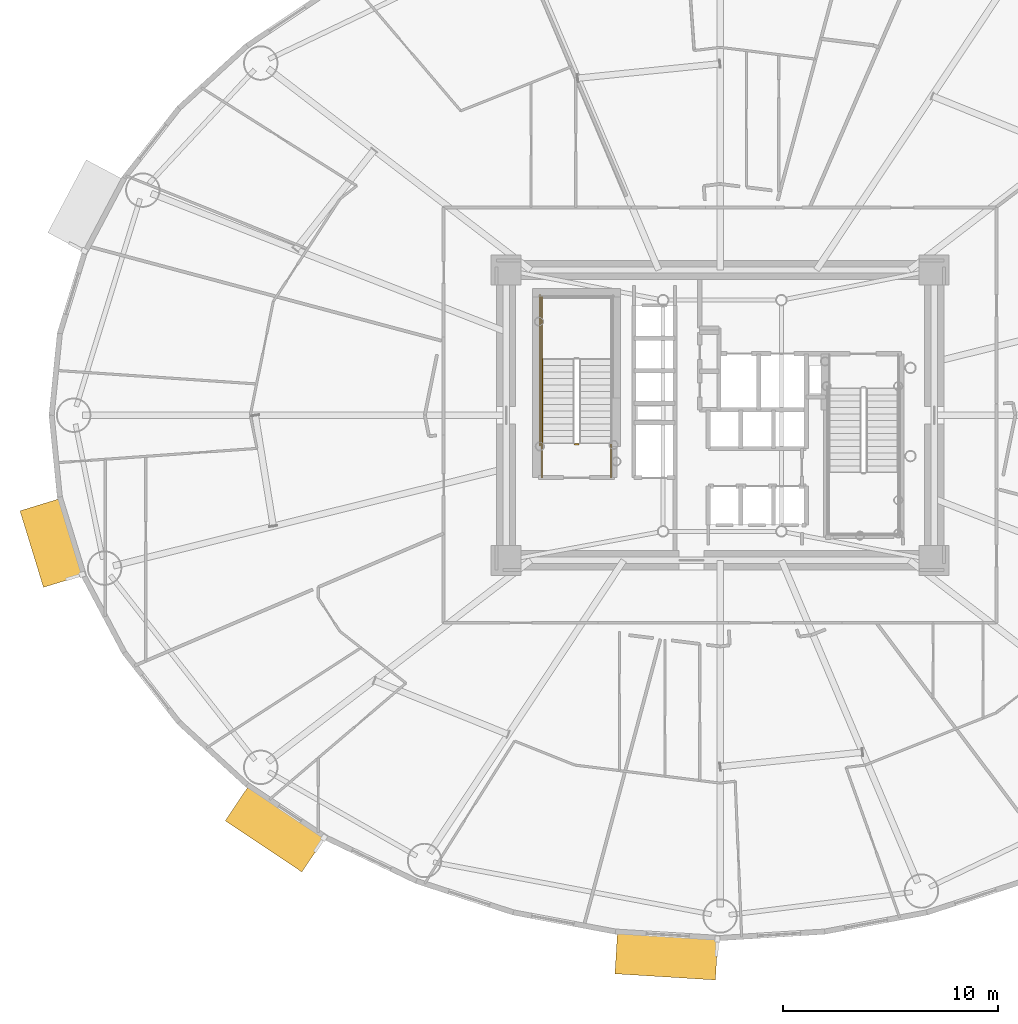
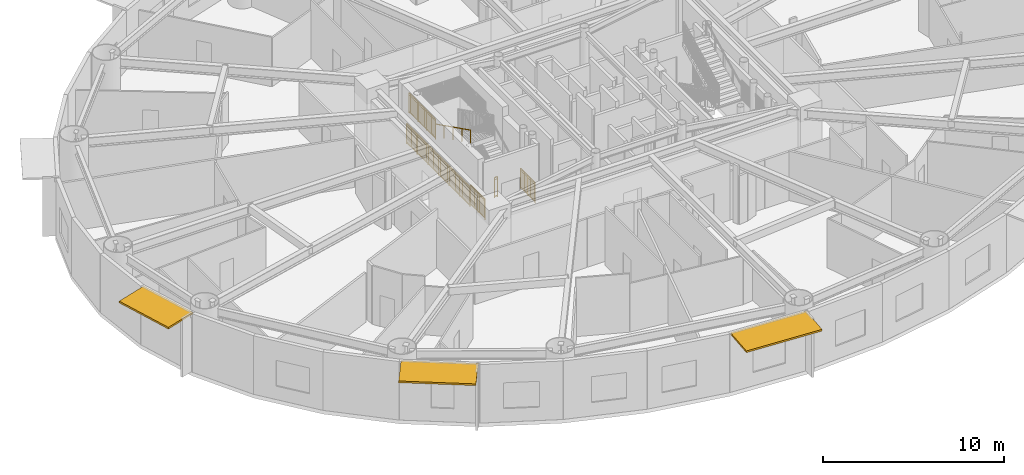
# One storey, part 18 of 24: 6 railings, 3 shading devices.
"""IFC4 building model written with IfcOpenShell, lengths in metres."""

from ifc_helpers import new_model, si_unit, direction, frame, origin, origin_2d, place, context, subcontext, project, spatial, rectangle, extrude, source, transform, mapped, material, layer, layer_set, type_object, element, save


model = new_model("IFC4")

# Units and contexts
model_context = context("Model", 3, precision=1e-05, world=origin(), true_north=direction((0.0, 1.0)))
body_context = subcontext(model_context, "Body", "Model", "MODEL_VIEW")
ifc_project = project(units=[si_unit("LENGTHUNIT", "METRE"), si_unit("AREAUNIT", "SQUARE_METRE"), si_unit("VOLUMEUNIT", "CUBIC_METRE"), si_unit("PLANEANGLEUNIT", "RADIAN"), si_unit("MASSUNIT", "GRAM", prefix="KILO")], contexts=[model_context])

# Site, building, storey
site_placement = place(None, origin())
site = spatial("IfcSite", under=ifc_project, at=site_placement, CompositionType="ELEMENT")
building_placement = place(site_placement, origin())
building = spatial("IfcBuilding", under=site, at=building_placement, Name="Linh Dai School and Residence Tower", CompositionType="ELEMENT")
storey_placement = place(building_placement, frame((0.0, 0.0, 70.199951171875)))
storey = spatial("IfcBuildingStorey", under=building, at=storey_placement, Name="L16", CompositionType="ELEMENT", Elevation=70.199951171875)

# Shading devices
ifc_material_1 = material(Name="Terracotta Ceramic Sunshade", Category="masonry")
ifc_layer = layer(ifc_material_1, 0.1201171875)
ifc_layer_set = layer_set([ifc_layer], Name="Terracotta Ceramic Sunshade")
shading_device_type = type_object("IfcShadingDeviceType", Name="SHD-TC-2000", PredefinedType="USERDEFINED", material=ifc_layer_set)
shared_shape_1 = source(origin(), body_context, "Body", "SweptSolid", [
    extrude(rectangle(XDim=3.7197265625, YDim=2.0, at=origin_2d()), origin(), (0.0, 0.0, 1.0), 0.1201171875),
])
shading_device_1_placement = place(storey_placement, frame((4.956787109375, 21.0693359375, 3.81005859375), z_axis=(0.0, 0.0, 1.0), x_axis=(-0.293145733514, 0.956067769001, 0.0)))
element("IfcShadingDevice", 1, at=shading_device_1_placement, inside=storey, type_object=shading_device_type, Name="L16 Terracotta Horizontal Sunshade Band 22", ObjectType="SUNSHADE", PredefinedType="USERDEFINED", context=body_context, shape_type="MappedRepresentation", body=[
    mapped(shared_shape_1, transform((0.0, 0.0, 0.0), x_axis=(1.0, 0.0, 0.0), y_axis=(0.0, 1.0, 0.0), z_axis=(0.0, 0.0, 1.0), scale=1.0)),
])
shared_shape_2 = source(origin(), body_context, "Body", "SweptSolid", [
    extrude(rectangle(XDim=4.28173828125, YDim=2.0, at=origin_2d()), origin(), (0.0, 0.0, 1.0), 0.1201171875),
])
shading_device_2_placement = place(storey_placement, frame((15.33544921875, 7.7861328125, 3.81005859375), z_axis=(0.0, 0.0, 1.0), x_axis=(-0.831250578927, 0.555897899828, 0.0)))
element("IfcShadingDevice", 2, at=shading_device_2_placement, inside=storey, type_object=shading_device_type, Name="L16 Terracotta Horizontal Sunshade Band 26", ObjectType="SUNSHADE", PredefinedType="USERDEFINED", context=body_context, shape_type="MappedRepresentation", body=[
    mapped(shared_shape_2, transform((0.0, 0.0, 0.0), x_axis=(1.0, 0.0, 0.0), y_axis=(0.0, 1.0, 0.0), z_axis=(0.0, 0.0, 1.0), scale=1.0)),
])
shared_shape_3 = source(origin(), body_context, "Body", "SweptSolid", [
    extrude(rectangle(XDim=4.6796875, YDim=2.0, at=origin_2d()), origin(), (0.0, 0.0, 1.0), 0.1201171875),
])
shading_device_3_placement = place(storey_placement, frame((33.50830078125, 1.88671875, 3.81005859375), z_axis=(0.0, 0.0, 1.0), x_axis=(-0.998106677027, 0.061506595367, 0.0)))
element("IfcShadingDevice", 3, at=shading_device_3_placement, inside=storey, type_object=shading_device_type, Name="L16 Terracotta Horizontal Sunshade Band 30", ObjectType="SUNSHADE", PredefinedType="USERDEFINED", context=body_context, shape_type="MappedRepresentation", body=[
    mapped(shared_shape_3, transform((0.0, 0.0, 0.0), x_axis=(1.0, 0.0, 0.0), y_axis=(0.0, 1.0, 0.0), z_axis=(0.0, 0.0, 1.0), scale=1.0)),
])

# Railings
ifc_material_2 = material(Name="Structural Steel S355JR", Category="steel")
railing_type_1 = type_object("IfcRailingType", Name="RL-ST-GUARD-1400", PredefinedType="GUARDRAIL", material=ifc_material_2)
shared_shape_4 = source(origin(), body_context, "Body", "SweptSolid", [
    extrude(rectangle(XDim=0.048095703125, YDim=0.048095703125, at=origin_2d()), frame((0.0, 0.0, 1.3759765625), z_axis=(-1.0, 0.0, 0.0), x_axis=(0.0, -1.0, 0.0)), (0.0, 0.0, 1.0), 0.199951171875),
    extrude(rectangle(XDim=0.048095703125, YDim=0.048095703125, at=origin_2d()), frame((0.0, 0.0, 0.10009765625), z_axis=(-1.0, 0.0, 0.0), x_axis=(0.0, -1.0, 0.0)), (0.0, 0.0, 1.0), 0.199951171875),
    extrude(rectangle(XDim=0.030029296875, YDim=0.030029296875, at=origin_2d()), frame((0.0, 0.0, 1.239990234375), z_axis=(-1.0, 0.0, 0.0), x_axis=(0.0, -1.0, 0.0)), (0.0, 0.0, 1.0), 0.199951171875),
    extrude(rectangle(XDim=0.0419921875, YDim=0.0419921875, at=origin_2d()), origin(), (0.0, 0.0, 1.0), 1.3759765625),
    extrude(rectangle(XDim=0.0419921875, YDim=0.0419921875, at=origin_2d()), frame((-0.199951171875, 0.0, 0.0)), (0.0, 0.0, 1.0), 1.3759765625),
])
railing_1_placement = place(storey_placement, frame((29.429931640625, 25.64990234375, 0.0)))
element("IfcRailing", 4, at=railing_1_placement, inside=storey, type_object=railing_type_1, Name="L16 ST1 stair guard 7", PredefinedType="GUARDRAIL", context=body_context, shape_type="MappedRepresentation", body=[
    mapped(shared_shape_4, transform((0.0, 0.0, 0.0), x_axis=(1.0, 0.0, 0.0), y_axis=(0.0, 1.0, 0.0), z_axis=(0.0, 0.0, 1.0), scale=1.0)),
])
shared_shape_5 = source(origin(), body_context, "Body", "SweptSolid", [
    extrude(rectangle(XDim=0.048095703125, YDim=0.048095703125, at=origin_2d()), frame((0.0, 0.0, 1.3759765625), z_axis=(0.0, 1.0, 0.0), x_axis=(-1.0, 0.0, 0.0)), (0.0, 0.0, 1.0), 1.599853515625),
    extrude(rectangle(XDim=0.048095703125, YDim=0.048095703125, at=origin_2d()), frame((0.0, 0.0, 0.10009765625), z_axis=(0.0, 1.0, 0.0), x_axis=(-1.0, 0.0, 0.0)), (0.0, 0.0, 1.0), 1.599853515625),
    extrude(rectangle(XDim=0.030029296875, YDim=0.030029296875, at=origin_2d()), frame((0.0, 0.0, 1.239990234375), z_axis=(0.0, 1.0, 0.0), x_axis=(-1.0, 0.0, 0.0)), (0.0, 0.0, 1.0), 1.599853515625),
    extrude(rectangle(XDim=0.02001953125, YDim=0.02001953125, at=origin_2d()), frame((0.0, 0.093994140625, 0.10009765625)), (0.0, 0.0, 1.0), 1.251708984375),
    extrude(rectangle(XDim=0.02001953125, YDim=0.02001953125, at=origin_2d()), frame((0.0, 0.188232421875, 0.10009765625)), (0.0, 0.0, 1.0), 1.251708984375),
    extrude(rectangle(XDim=0.02001953125, YDim=0.02001953125, at=origin_2d()), frame((0.0, 0.2822265625, 0.10009765625)), (0.0, 0.0, 1.0), 1.251708984375),
    extrude(rectangle(XDim=0.02001953125, YDim=0.02001953125, at=origin_2d()), frame((0.0, 0.37646484375, 0.10009765625)), (0.0, 0.0, 1.0), 1.251708984375),
    extrude(rectangle(XDim=0.02001953125, YDim=0.02001953125, at=origin_2d()), frame((0.0, 0.470458984375, 0.10009765625)), (0.0, 0.0, 1.0), 1.251708984375),
    extrude(rectangle(XDim=0.02001953125, YDim=0.02001953125, at=origin_2d()), frame((0.0, 0.564697265625, 0.10009765625)), (0.0, 0.0, 1.0), 1.251708984375),
    extrude(rectangle(XDim=0.02001953125, YDim=0.02001953125, at=origin_2d()), frame((0.0, 0.65869140625, 0.10009765625)), (0.0, 0.0, 1.0), 1.251708984375),
    extrude(rectangle(XDim=0.02001953125, YDim=0.02001953125, at=origin_2d()), frame((0.0, 0.7529296875, 0.10009765625)), (0.0, 0.0, 1.0), 1.251708984375),
    extrude(rectangle(XDim=0.02001953125, YDim=0.02001953125, at=origin_2d()), frame((0.0, 0.846923828125, 0.10009765625)), (0.0, 0.0, 1.0), 1.251708984375),
    extrude(rectangle(XDim=0.02001953125, YDim=0.02001953125, at=origin_2d()), frame((0.0, 0.941162109375, 0.10009765625)), (0.0, 0.0, 1.0), 1.251708984375),
    extrude(rectangle(XDim=0.02001953125, YDim=0.02001953125, at=origin_2d()), frame((0.0, 1.03515625, 0.10009765625)), (0.0, 0.0, 1.0), 1.251708984375),
    extrude(rectangle(XDim=0.02001953125, YDim=0.02001953125, at=origin_2d()), frame((0.0, 1.12939453125, 0.10009765625)), (0.0, 0.0, 1.0), 1.251708984375),
    extrude(rectangle(XDim=0.02001953125, YDim=0.02001953125, at=origin_2d()), frame((0.0, 1.223388671875, 0.10009765625)), (0.0, 0.0, 1.0), 1.251708984375),
    extrude(rectangle(XDim=0.02001953125, YDim=0.02001953125, at=origin_2d()), frame((0.0, 1.317626953125, 0.10009765625)), (0.0, 0.0, 1.0), 1.251708984375),
    extrude(rectangle(XDim=0.02001953125, YDim=0.02001953125, at=origin_2d()), frame((0.0, 1.41162109375, 0.10009765625)), (0.0, 0.0, 1.0), 1.251708984375),
    extrude(rectangle(XDim=0.02001953125, YDim=0.02001953125, at=origin_2d()), frame((0.0, 1.505859375, 0.10009765625)), (0.0, 0.0, 1.0), 1.251708984375),
    extrude(rectangle(XDim=0.0419921875, YDim=0.0419921875, at=origin_2d()), origin(), (0.0, 0.0, 1.0), 1.3759765625),
    extrude(rectangle(XDim=0.0419921875, YDim=0.0419921875, at=origin_2d()), frame((0.0, 0.7998046875, 0.0)), (0.0, 0.0, 1.0), 1.3759765625),
    extrude(rectangle(XDim=0.0419921875, YDim=0.0419921875, at=origin_2d()), frame((0.0, 1.599853515625, 0.0)), (0.0, 0.0, 1.0), 1.3759765625),
])
for number, where, name in (
    (5, (30.929931640625, 24.10009765625, 0.0), "L16 ST1 stair guard 8"),
    (6, (27.72998046875, 24.10009765625, 0.0), "L16 ST1 stair guard 9"),
):
    element("IfcRailing", number, at=place(storey_placement, frame(where)), inside=storey, type_object=railing_type_1, Name=name, PredefinedType="GUARDRAIL", context=body_context, shape_type="MappedRepresentation", body=[
        mapped(shared_shape_5, transform((0.0, 0.0, 0.0), x_axis=(1.0, 0.0, 0.0), y_axis=(0.0, 1.0, 0.0), z_axis=(0.0, 0.0, 1.0), scale=1.0)),
    ])
shared_shape_6 = source(origin(), body_context, "Body", "SweptSolid", [
    extrude(rectangle(XDim=0.048095703125, YDim=0.048095703125, at=origin_2d()), frame((0.0, 0.0, 1.3759765625), z_axis=(0.0, 1.0, 0.0), x_axis=(-1.0, 0.0, 0.0)), (0.0, 0.0, 1.0), 7.0),
    extrude(rectangle(XDim=0.048095703125, YDim=0.048095703125, at=origin_2d()), frame((0.0, 0.0, 0.10009765625), z_axis=(0.0, 1.0, 0.0), x_axis=(-1.0, 0.0, 0.0)), (0.0, 0.0, 1.0), 7.0),
    extrude(rectangle(XDim=0.030029296875, YDim=0.030029296875, at=origin_2d()), frame((0.0, 0.0, 1.239990234375), z_axis=(0.0, 1.0, 0.0), x_axis=(-1.0, 0.0, 0.0)), (0.0, 0.0, 1.0), 7.0),
    extrude(rectangle(XDim=0.02001953125, YDim=0.02001953125, at=origin_2d()), frame((0.0, 0.09716796875, 0.10009765625)), (0.0, 0.0, 1.0), 1.251708984375),
    extrude(rectangle(XDim=0.02001953125, YDim=0.02001953125, at=origin_2d()), frame((0.0, 0.1943359375, 0.10009765625)), (0.0, 0.0, 1.0), 1.251708984375),
    extrude(rectangle(XDim=0.02001953125, YDim=0.02001953125, at=origin_2d()), frame((0.0, 0.291748046875, 0.10009765625)), (0.0, 0.0, 1.0), 1.251708984375),
    extrude(rectangle(XDim=0.02001953125, YDim=0.02001953125, at=origin_2d()), frame((0.0, 0.388916015625, 0.10009765625)), (0.0, 0.0, 1.0), 1.251708984375),
    extrude(rectangle(XDim=0.02001953125, YDim=0.02001953125, at=origin_2d()), frame((0.0, 0.486083984375, 0.10009765625)), (0.0, 0.0, 1.0), 1.251708984375),
    extrude(rectangle(XDim=0.02001953125, YDim=0.02001953125, at=origin_2d()), frame((0.0, 0.583251953125, 0.10009765625)), (0.0, 0.0, 1.0), 1.251708984375),
    extrude(rectangle(XDim=0.02001953125, YDim=0.02001953125, at=origin_2d()), frame((0.0, 0.6806640625, 0.10009765625)), (0.0, 0.0, 1.0), 1.251708984375),
    extrude(rectangle(XDim=0.02001953125, YDim=0.02001953125, at=origin_2d()), frame((0.0, 0.77783203125, 0.10009765625)), (0.0, 0.0, 1.0), 1.251708984375),
    extrude(rectangle(XDim=0.02001953125, YDim=0.02001953125, at=origin_2d()), frame((0.0, 0.875, 0.10009765625)), (0.0, 0.0, 1.0), 1.251708984375),
    extrude(rectangle(XDim=0.02001953125, YDim=0.02001953125, at=origin_2d()), frame((0.0, 0.97216796875, 0.10009765625)), (0.0, 0.0, 1.0), 1.251708984375),
    extrude(rectangle(XDim=0.02001953125, YDim=0.02001953125, at=origin_2d()), frame((0.0, 1.0693359375, 0.10009765625)), (0.0, 0.0, 1.0), 1.251708984375),
    extrude(rectangle(XDim=0.02001953125, YDim=0.02001953125, at=origin_2d()), frame((0.0, 1.263916015625, 0.10009765625)), (0.0, 0.0, 1.0), 1.251708984375),
    extrude(rectangle(XDim=0.02001953125, YDim=0.02001953125, at=origin_2d()), frame((0.0, 1.361083984375, 0.10009765625)), (0.0, 0.0, 1.0), 1.251708984375),
    extrude(rectangle(XDim=0.02001953125, YDim=0.02001953125, at=origin_2d()), frame((0.0, 1.458251953125, 0.10009765625)), (0.0, 0.0, 1.0), 1.251708984375),
    extrude(rectangle(XDim=0.02001953125, YDim=0.02001953125, at=origin_2d()), frame((0.0, 1.5556640625, 0.10009765625)), (0.0, 0.0, 1.0), 1.251708984375),
    extrude(rectangle(XDim=0.02001953125, YDim=0.02001953125, at=origin_2d()), frame((0.0, 1.65283203125, 0.10009765625)), (0.0, 0.0, 1.0), 1.251708984375),
    extrude(rectangle(XDim=0.02001953125, YDim=0.02001953125, at=origin_2d()), frame((0.0, 1.75, 0.10009765625)), (0.0, 0.0, 1.0), 1.251708984375),
    extrude(rectangle(XDim=0.02001953125, YDim=0.02001953125, at=origin_2d()), frame((0.0, 1.84716796875, 0.10009765625)), (0.0, 0.0, 1.0), 1.251708984375),
    extrude(rectangle(XDim=0.02001953125, YDim=0.02001953125, at=origin_2d()), frame((0.0, 1.9443359375, 0.10009765625)), (0.0, 0.0, 1.0), 1.251708984375),
    extrude(rectangle(XDim=0.02001953125, YDim=0.02001953125, at=origin_2d()), frame((0.0, 2.041748046875, 0.10009765625)), (0.0, 0.0, 1.0), 1.251708984375),
    extrude(rectangle(XDim=0.02001953125, YDim=0.02001953125, at=origin_2d()), frame((0.0, 2.138916015625, 0.10009765625)), (0.0, 0.0, 1.0), 1.251708984375),
    extrude(rectangle(XDim=0.02001953125, YDim=0.02001953125, at=origin_2d()), frame((0.0, 2.236083984375, 0.10009765625)), (0.0, 0.0, 1.0), 1.251708984375),
    extrude(rectangle(XDim=0.02001953125, YDim=0.02001953125, at=origin_2d()), frame((0.0, 2.4306640625, 0.10009765625)), (0.0, 0.0, 1.0), 1.251708984375),
    extrude(rectangle(XDim=0.02001953125, YDim=0.02001953125, at=origin_2d()), frame((0.0, 2.52783203125, 0.10009765625)), (0.0, 0.0, 1.0), 1.251708984375),
    extrude(rectangle(XDim=0.02001953125, YDim=0.02001953125, at=origin_2d()), frame((0.0, 2.625, 0.10009765625)), (0.0, 0.0, 1.0), 1.251708984375),
    extrude(rectangle(XDim=0.02001953125, YDim=0.02001953125, at=origin_2d()), frame((0.0, 2.72216796875, 0.10009765625)), (0.0, 0.0, 1.0), 1.251708984375),
    extrude(rectangle(XDim=0.02001953125, YDim=0.02001953125, at=origin_2d()), frame((0.0, 2.8193359375, 0.10009765625)), (0.0, 0.0, 1.0), 1.251708984375),
    extrude(rectangle(XDim=0.02001953125, YDim=0.02001953125, at=origin_2d()), frame((0.0, 2.916748046875, 0.10009765625)), (0.0, 0.0, 1.0), 1.251708984375),
    extrude(rectangle(XDim=0.02001953125, YDim=0.02001953125, at=origin_2d()), frame((0.0, 3.013916015625, 0.10009765625)), (0.0, 0.0, 1.0), 1.251708984375),
    extrude(rectangle(XDim=0.02001953125, YDim=0.02001953125, at=origin_2d()), frame((0.0, 3.111083984375, 0.10009765625)), (0.0, 0.0, 1.0), 1.251708984375),
    extrude(rectangle(XDim=0.02001953125, YDim=0.02001953125, at=origin_2d()), frame((0.0, 3.208251953125, 0.10009765625)), (0.0, 0.0, 1.0), 1.251708984375),
    extrude(rectangle(XDim=0.02001953125, YDim=0.02001953125, at=origin_2d()), frame((0.0, 3.3056640625, 0.10009765625)), (0.0, 0.0, 1.0), 1.251708984375),
    extrude(rectangle(XDim=0.02001953125, YDim=0.02001953125, at=origin_2d()), frame((0.0, 3.40283203125, 0.10009765625)), (0.0, 0.0, 1.0), 1.251708984375),
    extrude(rectangle(XDim=0.02001953125, YDim=0.02001953125, at=origin_2d()), frame((0.0, 3.59716796875, 0.10009765625)), (0.0, 0.0, 1.0), 1.251708984375),
    extrude(rectangle(XDim=0.02001953125, YDim=0.02001953125, at=origin_2d()), frame((0.0, 3.6943359375, 0.10009765625)), (0.0, 0.0, 1.0), 1.251708984375),
    extrude(rectangle(XDim=0.02001953125, YDim=0.02001953125, at=origin_2d()), frame((0.0, 3.791748046875, 0.10009765625)), (0.0, 0.0, 1.0), 1.251708984375),
    extrude(rectangle(XDim=0.02001953125, YDim=0.02001953125, at=origin_2d()), frame((0.0, 3.888916015625, 0.10009765625)), (0.0, 0.0, 1.0), 1.251708984375),
    extrude(rectangle(XDim=0.02001953125, YDim=0.02001953125, at=origin_2d()), frame((0.0, 3.986083984375, 0.10009765625)), (0.0, 0.0, 1.0), 1.251708984375),
    extrude(rectangle(XDim=0.02001953125, YDim=0.02001953125, at=origin_2d()), frame((0.0, 4.083251953125, 0.10009765625)), (0.0, 0.0, 1.0), 1.251708984375),
    extrude(rectangle(XDim=0.02001953125, YDim=0.02001953125, at=origin_2d()), frame((0.0, 4.1806640625, 0.10009765625)), (0.0, 0.0, 1.0), 1.251708984375),
    extrude(rectangle(XDim=0.02001953125, YDim=0.02001953125, at=origin_2d()), frame((0.0, 4.27783203125, 0.10009765625)), (0.0, 0.0, 1.0), 1.251708984375),
    extrude(rectangle(XDim=0.02001953125, YDim=0.02001953125, at=origin_2d()), frame((0.0, 4.375, 0.10009765625)), (0.0, 0.0, 1.0), 1.251708984375),
    extrude(rectangle(XDim=0.02001953125, YDim=0.02001953125, at=origin_2d()), frame((0.0, 4.47216796875, 0.10009765625)), (0.0, 0.0, 1.0), 1.251708984375),
    extrude(rectangle(XDim=0.02001953125, YDim=0.02001953125, at=origin_2d()), frame((0.0, 4.5693359375, 0.10009765625)), (0.0, 0.0, 1.0), 1.251708984375),
    extrude(rectangle(XDim=0.02001953125, YDim=0.02001953125, at=origin_2d()), frame((0.0, 4.763916015625, 0.10009765625)), (0.0, 0.0, 1.0), 1.251708984375),
    extrude(rectangle(XDim=0.02001953125, YDim=0.02001953125, at=origin_2d()), frame((0.0, 4.861083984375, 0.10009765625)), (0.0, 0.0, 1.0), 1.251708984375),
    extrude(rectangle(XDim=0.02001953125, YDim=0.02001953125, at=origin_2d()), frame((0.0, 4.958251953125, 0.10009765625)), (0.0, 0.0, 1.0), 1.251708984375),
    extrude(rectangle(XDim=0.02001953125, YDim=0.02001953125, at=origin_2d()), frame((0.0, 5.0556640625, 0.10009765625)), (0.0, 0.0, 1.0), 1.251708984375),
    extrude(rectangle(XDim=0.02001953125, YDim=0.02001953125, at=origin_2d()), frame((0.0, 5.15283203125, 0.10009765625)), (0.0, 0.0, 1.0), 1.251708984375),
    extrude(rectangle(XDim=0.02001953125, YDim=0.02001953125, at=origin_2d()), frame((0.0, 5.25, 0.10009765625)), (0.0, 0.0, 1.0), 1.251708984375),
    extrude(rectangle(XDim=0.02001953125, YDim=0.02001953125, at=origin_2d()), frame((0.0, 5.34716796875, 0.10009765625)), (0.0, 0.0, 1.0), 1.251708984375),
    extrude(rectangle(XDim=0.02001953125, YDim=0.02001953125, at=origin_2d()), frame((0.0, 5.4443359375, 0.10009765625)), (0.0, 0.0, 1.0), 1.251708984375),
    extrude(rectangle(XDim=0.02001953125, YDim=0.02001953125, at=origin_2d()), frame((0.0, 5.541748046875, 0.10009765625)), (0.0, 0.0, 1.0), 1.251708984375),
    extrude(rectangle(XDim=0.02001953125, YDim=0.02001953125, at=origin_2d()), frame((0.0, 5.638916015625, 0.10009765625)), (0.0, 0.0, 1.0), 1.251708984375),
    extrude(rectangle(XDim=0.02001953125, YDim=0.02001953125, at=origin_2d()), frame((0.0, 5.736083984375, 0.10009765625)), (0.0, 0.0, 1.0), 1.251708984375),
    extrude(rectangle(XDim=0.02001953125, YDim=0.02001953125, at=origin_2d()), frame((0.0, 5.9306640625, 0.10009765625)), (0.0, 0.0, 1.0), 1.251708984375),
    extrude(rectangle(XDim=0.02001953125, YDim=0.02001953125, at=origin_2d()), frame((0.0, 6.02783203125, 0.10009765625)), (0.0, 0.0, 1.0), 1.251708984375),
    extrude(rectangle(XDim=0.02001953125, YDim=0.02001953125, at=origin_2d()), frame((0.0, 6.125, 0.10009765625)), (0.0, 0.0, 1.0), 1.251708984375),
    extrude(rectangle(XDim=0.02001953125, YDim=0.02001953125, at=origin_2d()), frame((0.0, 6.22216796875, 0.10009765625)), (0.0, 0.0, 1.0), 1.251708984375),
    extrude(rectangle(XDim=0.02001953125, YDim=0.02001953125, at=origin_2d()), frame((0.0, 6.3193359375, 0.10009765625)), (0.0, 0.0, 1.0), 1.251708984375),
    extrude(rectangle(XDim=0.02001953125, YDim=0.02001953125, at=origin_2d()), frame((0.0, 6.416748046875, 0.10009765625)), (0.0, 0.0, 1.0), 1.251708984375),
    extrude(rectangle(XDim=0.02001953125, YDim=0.02001953125, at=origin_2d()), frame((0.0, 6.513916015625, 0.10009765625)), (0.0, 0.0, 1.0), 1.251708984375),
    extrude(rectangle(XDim=0.02001953125, YDim=0.02001953125, at=origin_2d()), frame((0.0, 6.611083984375, 0.10009765625)), (0.0, 0.0, 1.0), 1.251708984375),
    extrude(rectangle(XDim=0.02001953125, YDim=0.02001953125, at=origin_2d()), frame((0.0, 6.708251953125, 0.10009765625)), (0.0, 0.0, 1.0), 1.251708984375),
    extrude(rectangle(XDim=0.02001953125, YDim=0.02001953125, at=origin_2d()), frame((0.0, 6.8056640625, 0.10009765625)), (0.0, 0.0, 1.0), 1.251708984375),
    extrude(rectangle(XDim=0.02001953125, YDim=0.02001953125, at=origin_2d()), frame((0.0, 6.90283203125, 0.10009765625)), (0.0, 0.0, 1.0), 1.251708984375),
    extrude(rectangle(XDim=0.0419921875, YDim=0.0419921875, at=origin_2d()), origin(), (0.0, 0.0, 1.0), 1.3759765625),
    extrude(rectangle(XDim=0.0419921875, YDim=0.0419921875, at=origin_2d()), frame((0.0, 1.166748046875, 0.0)), (0.0, 0.0, 1.0), 1.3759765625),
    extrude(rectangle(XDim=0.0419921875, YDim=0.0419921875, at=origin_2d()), frame((0.0, 2.333251953125, 0.0)), (0.0, 0.0, 1.0), 1.3759765625),
    extrude(rectangle(XDim=0.0419921875, YDim=0.0419921875, at=origin_2d()), frame((0.0, 3.5, 0.0)), (0.0, 0.0, 1.0), 1.3759765625),
    extrude(rectangle(XDim=0.0419921875, YDim=0.0419921875, at=origin_2d()), frame((0.0, 4.666748046875, 0.0)), (0.0, 0.0, 1.0), 1.3759765625),
    extrude(rectangle(XDim=0.0419921875, YDim=0.0419921875, at=origin_2d()), frame((0.0, 5.833251953125, 0.0)), (0.0, 0.0, 1.0), 1.3759765625),
    extrude(rectangle(XDim=0.0419921875, YDim=0.0419921875, at=origin_2d()), frame((0.0, 7.0, 0.0)), (0.0, 0.0, 1.0), 1.3759765625),
])
railing_2_placement = place(storey_placement, frame((27.6298828125, 25.60009765625, 0.0)))
element("IfcRailing", 7, at=railing_2_placement, inside=storey, type_object=railing_type_1, Name="L16 ST1 stair guard 11", PredefinedType="GUARDRAIL", context=body_context, shape_type="MappedRepresentation", body=[
    mapped(shared_shape_6, transform((0.0, 0.0, 0.0), x_axis=(1.0, 0.0, 0.0), y_axis=(0.0, 1.0, 0.0), z_axis=(0.0, 0.0, 1.0), scale=1.0)),
])
shared_shape_7 = source(origin(), body_context, "Body", "SweptSolid", [
    extrude(rectangle(XDim=0.048095703125, YDim=0.048095703125, at=origin_2d()), frame((0.0, 0.0, 1.3759765625), z_axis=(0.0, 1.0, 0.0), x_axis=(-1.0, 0.0, 0.0)), (0.0, 0.0, 1.0), 2.89990234375),
    extrude(rectangle(XDim=0.048095703125, YDim=0.048095703125, at=origin_2d()), frame((0.0, 0.0, 0.10009765625), z_axis=(0.0, 1.0, 0.0), x_axis=(-1.0, 0.0, 0.0)), (0.0, 0.0, 1.0), 2.89990234375),
    extrude(rectangle(XDim=0.030029296875, YDim=0.030029296875, at=origin_2d()), frame((0.0, 0.0, 1.239990234375), z_axis=(0.0, 1.0, 0.0), x_axis=(-1.0, 0.0, 0.0)), (0.0, 0.0, 1.0), 2.89990234375),
    extrude(rectangle(XDim=0.02001953125, YDim=0.02001953125, at=origin_2d()), frame((0.0, 0.0966796875, 0.10009765625)), (0.0, 0.0, 1.0), 1.251708984375),
    extrude(rectangle(XDim=0.02001953125, YDim=0.02001953125, at=origin_2d()), frame((0.0, 0.193359375, 0.10009765625)), (0.0, 0.0, 1.0), 1.251708984375),
    extrude(rectangle(XDim=0.02001953125, YDim=0.02001953125, at=origin_2d()), frame((0.0, 0.2900390625, 0.10009765625)), (0.0, 0.0, 1.0), 1.251708984375),
    extrude(rectangle(XDim=0.02001953125, YDim=0.02001953125, at=origin_2d()), frame((0.0, 0.38671875, 0.10009765625)), (0.0, 0.0, 1.0), 1.251708984375),
    extrude(rectangle(XDim=0.02001953125, YDim=0.02001953125, at=origin_2d()), frame((0.0, 0.4833984375, 0.10009765625)), (0.0, 0.0, 1.0), 1.251708984375),
    extrude(rectangle(XDim=0.02001953125, YDim=0.02001953125, at=origin_2d()), frame((0.0, 0.580078125, 0.10009765625)), (0.0, 0.0, 1.0), 1.251708984375),
    extrude(rectangle(XDim=0.02001953125, YDim=0.02001953125, at=origin_2d()), frame((0.0, 0.6767578125, 0.10009765625)), (0.0, 0.0, 1.0), 1.251708984375),
    extrude(rectangle(XDim=0.02001953125, YDim=0.02001953125, at=origin_2d()), frame((0.0, 0.773193359375, 0.10009765625)), (0.0, 0.0, 1.0), 1.251708984375),
    extrude(rectangle(XDim=0.02001953125, YDim=0.02001953125, at=origin_2d()), frame((0.0, 0.869873046875, 0.10009765625)), (0.0, 0.0, 1.0), 1.251708984375),
    extrude(rectangle(XDim=0.02001953125, YDim=0.02001953125, at=origin_2d()), frame((0.0, 1.063232421875, 0.10009765625)), (0.0, 0.0, 1.0), 1.251708984375),
    extrude(rectangle(XDim=0.02001953125, YDim=0.02001953125, at=origin_2d()), frame((0.0, 1.159912109375, 0.10009765625)), (0.0, 0.0, 1.0), 1.251708984375),
    extrude(rectangle(XDim=0.02001953125, YDim=0.02001953125, at=origin_2d()), frame((0.0, 1.256591796875, 0.10009765625)), (0.0, 0.0, 1.0), 1.251708984375),
    extrude(rectangle(XDim=0.02001953125, YDim=0.02001953125, at=origin_2d()), frame((0.0, 1.353271484375, 0.10009765625)), (0.0, 0.0, 1.0), 1.251708984375),
    extrude(rectangle(XDim=0.02001953125, YDim=0.02001953125, at=origin_2d()), frame((0.0, 1.449951171875, 0.10009765625)), (0.0, 0.0, 1.0), 1.251708984375),
    extrude(rectangle(XDim=0.02001953125, YDim=0.02001953125, at=origin_2d()), frame((0.0, 1.546630859375, 0.10009765625)), (0.0, 0.0, 1.0), 1.251708984375),
    extrude(rectangle(XDim=0.02001953125, YDim=0.02001953125, at=origin_2d()), frame((0.0, 1.643310546875, 0.10009765625)), (0.0, 0.0, 1.0), 1.251708984375),
    extrude(rectangle(XDim=0.02001953125, YDim=0.02001953125, at=origin_2d()), frame((0.0, 1.739990234375, 0.10009765625)), (0.0, 0.0, 1.0), 1.251708984375),
    extrude(rectangle(XDim=0.02001953125, YDim=0.02001953125, at=origin_2d()), frame((0.0, 1.836669921875, 0.10009765625)), (0.0, 0.0, 1.0), 1.251708984375),
    extrude(rectangle(XDim=0.02001953125, YDim=0.02001953125, at=origin_2d()), frame((0.0, 2.030029296875, 0.10009765625)), (0.0, 0.0, 1.0), 1.251708984375),
    extrude(rectangle(XDim=0.02001953125, YDim=0.02001953125, at=origin_2d()), frame((0.0, 2.126708984375, 0.10009765625)), (0.0, 0.0, 1.0), 1.251708984375),
    extrude(rectangle(XDim=0.02001953125, YDim=0.02001953125, at=origin_2d()), frame((0.0, 2.22314453125, 0.10009765625)), (0.0, 0.0, 1.0), 1.251708984375),
    extrude(rectangle(XDim=0.02001953125, YDim=0.02001953125, at=origin_2d()), frame((0.0, 2.31982421875, 0.10009765625)), (0.0, 0.0, 1.0), 1.251708984375),
    extrude(rectangle(XDim=0.02001953125, YDim=0.02001953125, at=origin_2d()), frame((0.0, 2.41650390625, 0.10009765625)), (0.0, 0.0, 1.0), 1.251708984375),
    extrude(rectangle(XDim=0.02001953125, YDim=0.02001953125, at=origin_2d()), frame((0.0, 2.51318359375, 0.10009765625)), (0.0, 0.0, 1.0), 1.251708984375),
    extrude(rectangle(XDim=0.02001953125, YDim=0.02001953125, at=origin_2d()), frame((0.0, 2.60986328125, 0.10009765625)), (0.0, 0.0, 1.0), 1.251708984375),
    extrude(rectangle(XDim=0.02001953125, YDim=0.02001953125, at=origin_2d()), frame((0.0, 2.70654296875, 0.10009765625)), (0.0, 0.0, 1.0), 1.251708984375),
    extrude(rectangle(XDim=0.02001953125, YDim=0.02001953125, at=origin_2d()), frame((0.0, 2.80322265625, 0.10009765625)), (0.0, 0.0, 1.0), 1.251708984375),
    extrude(rectangle(XDim=0.0419921875, YDim=0.0419921875, at=origin_2d()), origin(), (0.0, 0.0, 1.0), 1.3759765625),
    extrude(rectangle(XDim=0.0419921875, YDim=0.0419921875, at=origin_2d()), frame((0.0, 0.966552734375, 0.0)), (0.0, 0.0, 1.0), 1.3759765625),
    extrude(rectangle(XDim=0.0419921875, YDim=0.0419921875, at=origin_2d()), frame((0.0, 1.933349609375, 0.0)), (0.0, 0.0, 1.0), 1.3759765625),
    extrude(rectangle(XDim=0.0419921875, YDim=0.0419921875, at=origin_2d()), frame((0.0, 2.89990234375, 0.0)), (0.0, 0.0, 1.0), 1.3759765625),
])
railing_3_placement = place(storey_placement, frame((27.72998046875, 29.60009765625, 2.10009765625)))
element("IfcRailing", 8, at=railing_3_placement, inside=storey, type_object=railing_type_1, Name="L16 ST1 stair guard 4", PredefinedType="GUARDRAIL", context=body_context, shape_type="MappedRepresentation", body=[
    mapped(shared_shape_7, transform((0.0, 0.0, 0.0), x_axis=(1.0, 0.0, 0.0), y_axis=(0.0, 1.0, 0.0), z_axis=(0.0, 0.0, 1.0), scale=1.0)),
])
ifc_material_3 = material(Name="Brushed Stainless Steel Handrail", Category="steel")
railing_type_2 = type_object("IfcRailingType", Name="RL-ST-HANDRAIL-900", PredefinedType="HANDRAIL", material=ifc_material_3)
shared_shape_8 = source(origin(), body_context, "Body", "SweptSolid", [
    extrude(rectangle(XDim=0.048095703125, YDim=0.048095703125, at=origin_2d()), frame((0.0, 0.0, 0.8759765625), z_axis=(0.0, -0.894438388696, 0.447191199406), x_axis=(1.0, 0.0, 0.0)), (0.0, 0.0, 1.0), 4.3603515625),
    extrude(rectangle(XDim=0.0419921875, YDim=0.0419921875, at=origin_2d()), origin(), (0.0, 0.0, 1.0), 0.8759765625),
    extrude(rectangle(XDim=0.0419921875, YDim=0.0419921875, at=origin_2d()), frame((0.0, -0.97509765625, 0.487548828125)), (0.0, 0.0, 1.0), 0.8759765625),
    extrude(rectangle(XDim=0.0419921875, YDim=0.0419921875, at=origin_2d()), frame((0.0, -1.9501953125, 0.97509765625)), (0.0, 0.0, 1.0), 0.8759765625),
    extrude(rectangle(XDim=0.0419921875, YDim=0.0419921875, at=origin_2d()), frame((0.0, -2.925048828125, 1.46240234375)), (0.0, 0.0, 1.0), 0.8759765625),
    extrude(rectangle(XDim=0.0419921875, YDim=0.0419921875, at=origin_2d()), frame((0.0, -3.900146484375, 1.949951171875)), (0.0, 0.0, 1.0), 0.8759765625),
])
railing_4_placement = place(storey_placement, frame((27.72998046875, 29.60009765625, 2.25)))
element("IfcRailing", 9, at=railing_4_placement, inside=storey, type_object=railing_type_2, Name="L16 ST1 stair handrail 2", PredefinedType="HANDRAIL", context=body_context, shape_type="MappedRepresentation", body=[
    mapped(shared_shape_8, transform((0.0, 0.0, 0.0), x_axis=(1.0, 0.0, 0.0), y_axis=(0.0, 1.0, 0.0), z_axis=(0.0, 0.0, 1.0), scale=1.0)),
])

save(model, "model.ifc")
